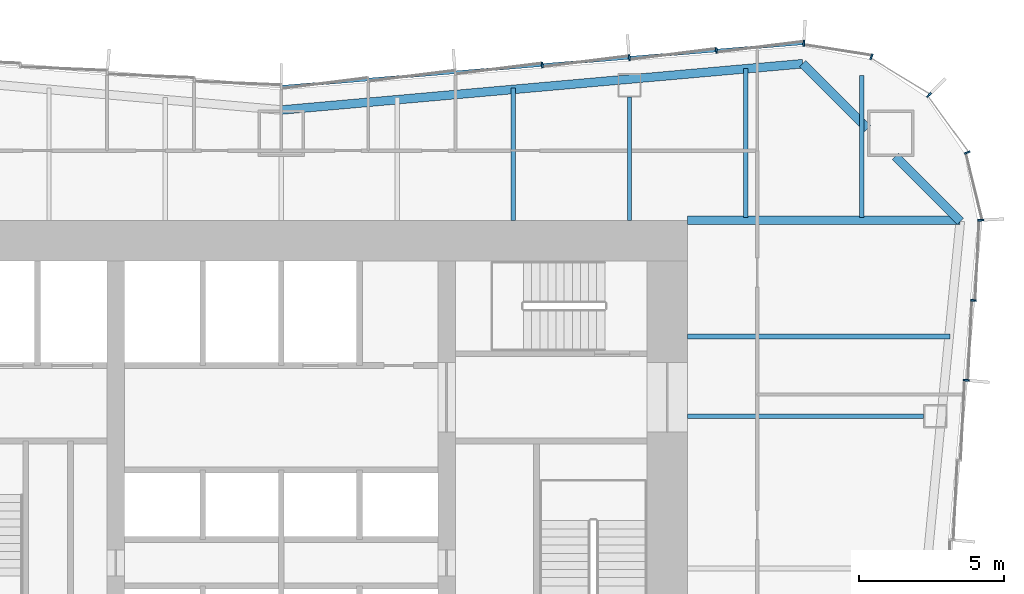
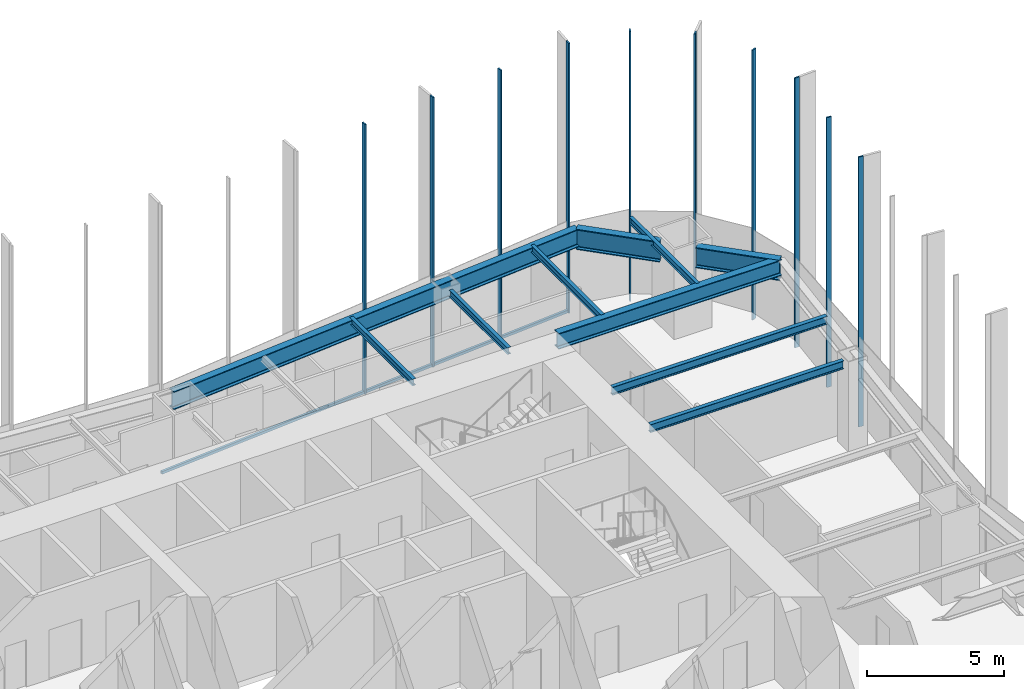
# One storey, part 7 of 13: 11 members, 10 beams, 3 elements without a shape of their own.
"""IFC4 building model written with IfcOpenShell, lengths in metres."""

from ifc_helpers import new_model, si_unit, direction, frame, origin, origin_2d, place, context, subcontext, project, spatial, rectangle, i_section, extrude, material, material_profile, profile_set, type_object, element, aggregate, save


model = new_model("IFC4")

# Units and contexts
model_context = context("Model", 3, precision=1e-05, world=origin(), true_north=direction((0.0, 1.0)))
body_context = subcontext(model_context, "Body", "Model", "MODEL_VIEW")
ifc_project = project(units=[si_unit("LENGTHUNIT", "METRE"), si_unit("AREAUNIT", "SQUARE_METRE"), si_unit("VOLUMEUNIT", "CUBIC_METRE"), si_unit("PLANEANGLEUNIT", "RADIAN"), si_unit("MASSUNIT", "GRAM", prefix="KILO")], contexts=[model_context])

# Site, building, storey
site_placement = place(None, origin())
site = spatial("IfcSite", under=ifc_project, at=site_placement, CompositionType="ELEMENT")
building_placement = place(site_placement, origin())
building = spatial("IfcBuilding", under=site, at=building_placement, Name="Verdant Reach Tower", CompositionType="ELEMENT")
storey_placement = place(building_placement, frame((0.0, 0.0, 38.0)))
storey = spatial("IfcBuildingStorey", under=building, at=storey_placement, Name="L08", CompositionType="ELEMENT", Elevation=38.0)

# Curtain wall, members
ifc_material_1 = material(Name="Anodised aluminium", Category="aluminium")
curtain_wall_type = type_object("IfcCurtainWallType", Name="EN-CW SYSTEM Z0", PredefinedType="NOTDEFINED", material=ifc_material_1)
curtain_wall_1_placement = place(storey_placement, origin())
curtain_wall_1 = element("IfcCurtainWall", 1, at=curtain_wall_1_placement, inside=storey, type_object=curtain_wall_type, Name="Curtain wall east, L08", PredefinedType="NOTDEFINED")
ifc_material_profile_1 = material_profile(ifc_material_1, rectangle(XDim=0.199951171875, YDim=0.06005859375, at=origin_2d()), Name="Mullion 60x200")
ifc_profile_set_1 = profile_set([ifc_material_profile_1], Name="Anodised aluminium")
member_type_1 = type_object("IfcMemberType", Name="EN-MULLION Z0", PredefinedType="MULLION", material=ifc_profile_set_1)
member_1_placement = place(storey_placement, frame((23.599609375, 33.490966796875, -0.35009765625), z_axis=(0.0, 0.0, 1.0), x_axis=(0.995893206467, -0.090535746047, 0.0)))
member_1 = element("IfcMember", 2, at=member_1_placement, type_object=member_type_1, Name="Mullion east face part 2 5, L08", PredefinedType="MULLION", context=body_context, shape_type="SweptSolid", body=[
    extrude(rectangle(XDim=0.199951171875, YDim=0.06005859375, at=origin_2d()), origin(), (0.0, 0.0, 1.0), 12.0),
])
member_2_placement = place(storey_placement, frame((23.849609375, 36.240966796875, -0.35009765625), z_axis=(0.0, 0.0, 1.0), x_axis=(0.995893206467, -0.090535746047, 0.0)))
member_2 = element("IfcMember", 3, at=member_2_placement, type_object=member_type_1, Name="Mullion east face part 2 6, L08", PredefinedType="MULLION", context=body_context, shape_type="SweptSolid", body=[
    extrude(rectangle(XDim=0.199951171875, YDim=0.06005859375, at=origin_2d()), origin(), (0.0, 0.0, 1.0), 12.0),
])
aggregate(curtain_wall_1, [member_1, member_2])

curtain_wall_2_placement = place(storey_placement, origin())
curtain_wall_2 = element("IfcCurtainWall", 4, at=curtain_wall_2_placement, inside=storey, type_object=curtain_wall_type, Name="Curtain wall north-east corner, L08", PredefinedType="NOTDEFINED")
member_3_placement = place(storey_placement, frame((24.099853515625, 39.00537109375, -0.35009765625), z_axis=(0.0, 0.0, 1.0), x_axis=(0.998604288049, 0.052815489107, 0.0)))
member_3 = element("IfcMember", 5, at=member_3_placement, type_object=member_type_1, Name="Mullion north-east corner 1, L08", PredefinedType="MULLION", context=body_context, shape_type="SweptSolid", body=[
    extrude(rectangle(XDim=0.199951171875, YDim=0.06005859375, at=origin_2d()), origin(), (0.0, 0.0, 1.0), 12.0),
])
member_4_placement = place(storey_placement, frame((23.6357421875, 41.33447265625, -0.35009765625), z_axis=(0.0, 0.0, 1.0), x_axis=(0.923875215753, 0.382693853776, 0.0)))
member_4 = element("IfcMember", 6, at=member_4_placement, type_object=member_type_1, Name="Mullion north-east corner 2, L08", PredefinedType="MULLION", context=body_context, shape_type="SweptSolid", body=[
    extrude(rectangle(XDim=0.199951171875, YDim=0.06005859375, at=origin_2d()), origin(), (0.0, 0.0, 1.0), 12.0),
])
member_5_placement = place(storey_placement, frame((22.313232421875, 43.313232421875, -0.35009765625), z_axis=(0.0, 0.0, 1.0), x_axis=(0.707106781187, 0.707106781187, 0.0)))
member_5 = element("IfcMember", 7, at=member_5_placement, type_object=member_type_1, Name="Mullion north-east corner 3, L08", PredefinedType="MULLION", context=body_context, shape_type="SweptSolid", body=[
    extrude(rectangle(XDim=0.199951171875, YDim=0.06005859375, at=origin_2d()), origin(), (0.0, 0.0, 1.0), 12.0),
])
member_6_placement = place(storey_placement, frame((20.33447265625, 44.6357421875, -0.35009765625), z_axis=(0.0, 0.0, 1.0), x_axis=(0.382693853776, 0.923875215753, 0.0)))
member_6 = element("IfcMember", 8, at=member_6_placement, type_object=member_type_1, Name="Mullion north-east corner 4, L08", PredefinedType="MULLION", context=body_context, shape_type="SweptSolid", body=[
    extrude(rectangle(XDim=0.199951171875, YDim=0.06005859375, at=origin_2d()), origin(), (0.0, 0.0, 1.0), 12.0),
])
aggregate(curtain_wall_2, [member_3, member_4, member_5, member_6])

curtain_wall_3_placement = place(storey_placement, origin())
curtain_wall_3 = element("IfcCurtainWall", 9, at=curtain_wall_3_placement, inside=storey, type_object=curtain_wall_type, Name="Curtain wall north, L08", PredefinedType="NOTDEFINED")
member_7_placement = place(storey_placement, frame((18.005615234375, 45.099853515625, -0.35009765625), z_axis=(0.0, 0.0, 1.0), x_axis=(0.056569187765, 0.998398681387, 0.0)))
member_7 = element("IfcMember", 10, at=member_7_placement, type_object=member_type_1, Name="Mullion north face part 1 1, L08", PredefinedType="MULLION", context=body_context, shape_type="SweptSolid", body=[
    extrude(rectangle(XDim=0.199951171875, YDim=0.06005859375, at=origin_2d()), origin(), (0.0, 0.0, 1.0), 12.0),
])
member_8_placement = place(storey_placement, frame((14.99169921875, 44.849609375, -0.35009765625), z_axis=(0.0, 0.0, 1.0), x_axis=(-0.083045479859, 0.996545758244, 0.0)))
member_8 = element("IfcMember", 11, at=member_8_placement, type_object=member_type_1, Name="Mullion north face part 1 2, L08", PredefinedType="MULLION", context=body_context, shape_type="SweptSolid", body=[
    extrude(rectangle(XDim=0.199951171875, YDim=0.06005859375, at=origin_2d()), origin(), (0.0, 0.0, 1.0), 12.0),
])
member_9_placement = place(storey_placement, frame((11.99169921875, 44.599609375, -0.35009765625), z_axis=(0.0, 0.0, 1.0), x_axis=(-0.083045479859, 0.996545758244, 0.0)))
member_9 = element("IfcMember", 12, at=member_9_placement, type_object=member_type_1, Name="Mullion north face part 1 3, L08", PredefinedType="MULLION", context=body_context, shape_type="SweptSolid", body=[
    extrude(rectangle(XDim=0.199951171875, YDim=0.06005859375, at=origin_2d()), origin(), (0.0, 0.0, 1.0), 12.0),
])
member_10_placement = place(storey_placement, frame((8.99169921875, 44.349609375, -0.35009765625), z_axis=(0.0, 0.0, 1.0), x_axis=(-0.083045479859, 0.996545758244, 0.0)))
member_10 = element("IfcMember", 13, at=member_10_placement, type_object=member_type_1, Name="Mullion north face part 1 4, L08", PredefinedType="MULLION", context=body_context, shape_type="SweptSolid", body=[
    extrude(rectangle(XDim=0.199951171875, YDim=0.06005859375, at=origin_2d()), origin(), (0.0, 0.0, 1.0), 12.0),
])
ifc_material_profile_2 = material_profile(ifc_material_1, rectangle(XDim=0.10009765625, YDim=0.1201171875, at=origin_2d()), Name="Transom 120x100")
ifc_profile_set_2 = profile_set([ifc_material_profile_2], Name="Anodised aluminium")
member_type_2 = type_object("IfcMemberType", Name="EN-TRANSOM Z0", PredefinedType="USERDEFINED", material=ifc_profile_set_2)
member_11_placement = place(storey_placement, frame((17.975830078125, 45.097412109375, -0.2900390625), z_axis=(-0.996548656072, -0.083010698588, 0.0), x_axis=(0.083010698588, -0.996548656072, 0.0)))
member_11 = element("IfcMember", 14, at=member_11_placement, type_object=member_type_2, Name="Transom north face part 1 1.1, L08", ObjectType="TRANSOM", PredefinedType="USERDEFINED", context=body_context, shape_type="SweptSolid", body=[
    extrude(rectangle(XDim=0.10009765625, YDim=0.1201171875, at=origin_2d()), origin(), (0.0, 0.0, 1.0), 18.00830078125),
])
aggregate(curtain_wall_3, [member_7, member_8, member_9, member_10, member_11])

# Beams
ifc_material_2 = material(Name="Steel S355", Category="steel")
ifc_material_profile_3 = material_profile(ifc_material_2, i_section(OverallWidth=0.300048828125, OverallDepth=0.699951171875, WebThickness=0.01708984375, FlangeThickness=0.031982421875, FilletRadius=0.027099609375, at=origin_2d()), Name="HEB 700")
ifc_profile_set_3 = profile_set([ifc_material_profile_3], Name="Steel S355")
beam_type_1 = type_object("IfcBeamType", Name="ST-BEAM-HEB700", PredefinedType="BEAM", material=ifc_profile_set_3)
beam_1_placement = place(storey_placement, frame((14.0, 39.0, 3.52001953125), z_axis=(1.0, 0.0, 0.0), x_axis=(0.0, 1.0, 0.0)))
element("IfcBeam", 15, at=beam_1_placement, inside=storey, type_object=beam_type_1, Name="Trimmer beam, L08", PredefinedType="BEAM", context=body_context, shape_type="SweptSolid", body=[
    extrude(i_section(OverallWidth=0.300048828125, OverallDepth=0.699951171875, WebThickness=0.01708984375, FlangeThickness=0.031982421875, FilletRadius=0.027099609375, at=origin_2d()), origin(), (0.0, 0.0, 1.0), 9.38818359375),
])
ifc_material_profile_4 = material_profile(ifc_material_2, i_section(OverallWidth=0.14990234375, OverallDepth=0.300048828125, WebThickness=0.007080078125, FlangeThickness=0.0107421875, FilletRadius=0.014892578125, at=origin_2d()), Name="IPE 300")
ifc_profile_set_4 = profile_set([ifc_material_profile_4], Name="Steel S355")
beam_type_2 = type_object("IfcBeamType", Name="ST-JOIST-IPE300", PredefinedType="JOIST", material=ifc_profile_set_4)
beam_2_placement = place(storey_placement, frame((8.0, 39.0, 3.719970703125), z_axis=(0.0, 1.0, 0.0), x_axis=(-1.0, 0.0, 0.0)))
element("IfcBeam", 16, at=beam_2_placement, inside=storey, type_object=beam_type_2, Name="Floor joist, L08", PredefinedType="JOIST", context=body_context, shape_type="SweptSolid", body=[
    extrude(i_section(OverallWidth=0.14990234375, OverallDepth=0.300048828125, WebThickness=0.007080078125, FlangeThickness=0.0107421875, FilletRadius=0.014892578125, at=origin_2d()), origin(), (0.0, 0.0, 1.0), 4.564697265625),
])
beam_3_placement = place(storey_placement, frame((12.0, 39.0, 3.719970703125), z_axis=(0.0, 1.0, 0.0), x_axis=(-1.0, 0.0, 0.0)))
element("IfcBeam", 17, at=beam_3_placement, inside=storey, type_object=beam_type_2, Name="Floor joist, L08", PredefinedType="JOIST", context=body_context, shape_type="SweptSolid", body=[
    extrude(i_section(OverallWidth=0.14990234375, OverallDepth=0.300048828125, WebThickness=0.007080078125, FlangeThickness=0.0107421875, FilletRadius=0.014892578125, at=origin_2d()), origin(), (0.0, 0.0, 1.0), 4.25),
])
beam_4_placement = place(storey_placement, frame((16.0, 39.10009765625, 3.719970703125), z_axis=(0.0, 1.0, 0.0), x_axis=(-1.0, 0.0, 0.0)))
element("IfcBeam", 18, at=beam_4_placement, inside=storey, type_object=beam_type_2, Name="Floor joist, L08", PredefinedType="JOIST", context=body_context, shape_type="SweptSolid", body=[
    extrude(i_section(OverallWidth=0.14990234375, OverallDepth=0.300048828125, WebThickness=0.007080078125, FlangeThickness=0.0107421875, FilletRadius=0.014892578125, at=origin_2d()), origin(), (0.0, 0.0, 1.0), 5.131103515625),
])
beam_5_placement = place(storey_placement, frame((20.0, 39.10009765625, 3.719970703125), z_axis=(0.0, 1.0, 0.0), x_axis=(-1.0, 0.0, 0.0)))
element("IfcBeam", 19, at=beam_5_placement, inside=storey, type_object=beam_type_2, Name="Floor joist, L08", PredefinedType="JOIST", context=body_context, shape_type="SweptSolid", body=[
    extrude(i_section(OverallWidth=0.14990234375, OverallDepth=0.300048828125, WebThickness=0.007080078125, FlangeThickness=0.0107421875, FilletRadius=0.014892578125, at=origin_2d()), origin(), (0.0, 0.0, 1.0), 4.890380859375),
])
ifc_material_profile_5 = material_profile(ifc_material_2, i_section(OverallWidth=0.169921875, OverallDepth=0.360107421875, WebThickness=0.008056640625, FlangeThickness=0.0126953125, FilletRadius=0.01806640625, at=origin_2d()), Name="IPE 360")
ifc_profile_set_5 = profile_set([ifc_material_profile_5], Name="Steel S355")
beam_type_3 = type_object("IfcBeamType", Name="ST-JOIST-IPE360", PredefinedType="JOIST", material=ifc_profile_set_5)
beam_6_placement = place(storey_placement, frame((14.0, 32.25, 3.68994140625), z_axis=(1.0, 0.0, 0.0), x_axis=(0.0, 1.0, 0.0)))
element("IfcBeam", 20, at=beam_6_placement, inside=storey, type_object=beam_type_3, Name="Floor joist, L08", PredefinedType="JOIST", context=body_context, shape_type="SweptSolid", body=[
    extrude(i_section(OverallWidth=0.169921875, OverallDepth=0.360107421875, WebThickness=0.008056640625, FlangeThickness=0.0126953125, FilletRadius=0.01806640625, at=origin_2d()), origin(), (0.0, 0.0, 1.0), 8.136474609375),
])
beam_7_placement = place(storey_placement, frame((14.0, 35.0, 3.68994140625), z_axis=(1.0, 0.0, 0.0), x_axis=(0.0, 1.0, 0.0)))
element("IfcBeam", 21, at=beam_7_placement, inside=storey, type_object=beam_type_3, Name="Floor joist, L08", PredefinedType="JOIST", context=body_context, shape_type="SweptSolid", body=[
    extrude(i_section(OverallWidth=0.169921875, OverallDepth=0.360107421875, WebThickness=0.008056640625, FlangeThickness=0.0126953125, FilletRadius=0.01806640625, at=origin_2d()), origin(), (0.0, 0.0, 1.0), 9.033935546875),
])
ifc_material_profile_6 = material_profile(ifc_material_2, i_section(OverallWidth=0.300048828125, OverallDepth=0.800048828125, WebThickness=0.017578125, FlangeThickness=0.032958984375, FilletRadius=0.030029296875, at=origin_2d()), Name="HEB 800")
ifc_profile_set_6 = profile_set([ifc_material_profile_6], Name="Steel S355")
beam_type_4 = type_object("IfcBeamType", Name="ST-SPANDREL-HEB800", PredefinedType="SPANDREL", material=ifc_profile_set_6)
beam_8_placement = place(storey_placement, frame((0.0, 42.800048828125, 3.469970703125), z_axis=(0.996082370463, 0.088430262084, 0.0), x_axis=(-0.088430262084, 0.996082370463, 0.0)))
element("IfcBeam", 22, at=beam_8_placement, inside=storey, type_object=beam_type_4, Name="Edge beam, L08", PredefinedType="SPANDREL", context=body_context, shape_type="SweptSolid", body=[
    extrude(i_section(OverallWidth=0.300048828125, OverallDepth=0.800048828125, WebThickness=0.017578125, FlangeThickness=0.032958984375, FilletRadius=0.030029296875, at=origin_2d()), origin(), (0.0, 0.0, 1.0), 18.036376953125),
])
ifc_material_profile_7 = material_profile(ifc_material_2, i_section(OverallWidth=0.302001953125, OverallDepth=0.909912109375, WebThickness=0.02099609375, FlangeThickness=0.0400390625, FilletRadius=0.030029296875, at=origin_2d()), Name="HEM 900")
ifc_profile_set_7 = profile_set([ifc_material_profile_7], Name="Steel S355")
beam_type_5 = type_object("IfcBeamType", Name="ST-SPANDREL-HEM900", PredefinedType="SPANDREL", material=ifc_profile_set_7)
beam_9_placement = place(storey_placement, frame((17.9658203125, 44.39501953125, 3.4150390625), z_axis=(0.707222697162, -0.706990846206, 0.0), x_axis=(0.706990846206, 0.707222697162, 0.0)))
element("IfcBeam", 23, at=beam_9_placement, inside=storey, type_object=beam_type_5, Name="Edge beam, L08", PredefinedType="SPANDREL", context=body_context, shape_type="SweptSolid", body=[
    extrude(i_section(OverallWidth=0.302001953125, OverallDepth=0.909912109375, WebThickness=0.02099609375, FlangeThickness=0.0400390625, FilletRadius=0.030029296875, at=origin_2d()), origin(), (0.0, 0.0, 1.0), 3.158935546875),
])
beam_10_placement = place(storey_placement, frame((21.161865234375, 41.199951171875, 3.4150390625), z_axis=(0.70722277322, -0.706990770123, 0.0), x_axis=(0.706990770123, 0.70722277322, 0.0)))
element("IfcBeam", 24, at=beam_10_placement, inside=storey, type_object=beam_type_5, Name="Edge beam, L08", PredefinedType="SPANDREL", context=body_context, shape_type="SweptSolid", body=[
    extrude(i_section(OverallWidth=0.302001953125, OverallDepth=0.909912109375, WebThickness=0.02099609375, FlangeThickness=0.0400390625, FilletRadius=0.030029296875, at=origin_2d()), origin(), (0.0, 0.0, 1.0), 3.156982421875),
])

save(model, "model.ifc")
